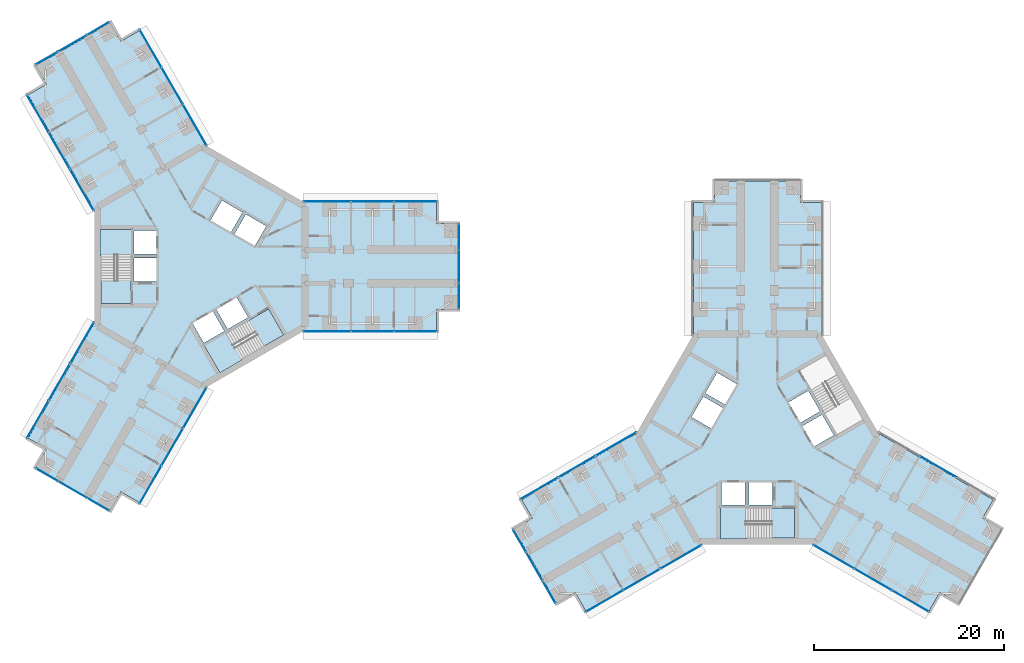
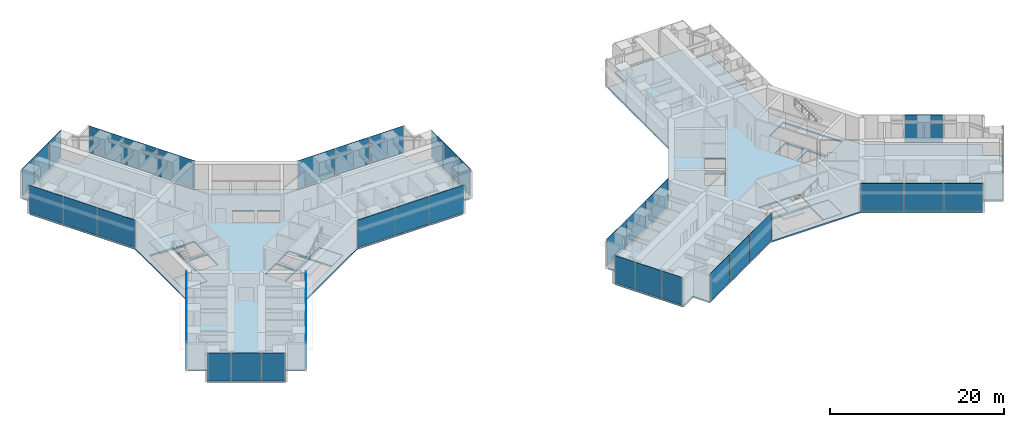
# One storey, part 14 of 22: 40 plates, 8 slabs, 17 elements without a shape of their own.
"""IFC4 building model written with IfcOpenShell, lengths in metres."""

from ifc_helpers import new_model, si_unit, direction, frame, origin, origin_2d, place, context, subcontext, project, spatial, polyline, rectangle, outline, extrude, material, layer, layer_set, type_object, element, aggregate, save


model = new_model("IFC4")

# Units and contexts
model_context = context("Model", 3, precision=1e-05, world=origin(), true_north=direction((0.0, 1.0)))
body_context = subcontext(model_context, "Body", "Model", "MODEL_VIEW")
ifc_project = project(units=[si_unit("LENGTHUNIT", "METRE"), si_unit("AREAUNIT", "SQUARE_METRE"), si_unit("VOLUMEUNIT", "CUBIC_METRE"), si_unit("PLANEANGLEUNIT", "RADIAN"), si_unit("MASSUNIT", "GRAM", prefix="KILO")], contexts=[model_context])

# Site, building, storey
site_placement = place(None, origin())
site = spatial("IfcSite", under=ifc_project, at=site_placement, CompositionType="ELEMENT")
building_placement = place(site_placement, origin())
building = spatial("IfcBuilding", under=site, at=building_placement, Name="Upepo Twin Towers", CompositionType="ELEMENT")
storey_placement = place(building_placement, frame((0.0, 0.0, 44.5)))
storey = spatial("IfcBuildingStorey", under=building, at=storey_placement, Name="L10", CompositionType="ELEMENT", Elevation=44.5)

# Curtain wall, plates
ifc_material_1 = material(Name="Aluminium and fritted glass", Category="aluminium")
curtain_wall_type = type_object("IfcCurtainWallType", Name="Tower curtain wall TW1, fritted glass", PredefinedType="NOTDEFINED", material=ifc_material_1)
curtain_wall_1_placement = place(storey_placement, origin())
curtain_wall_1 = element("IfcCurtainWall", 1, at=curtain_wall_1_placement, inside=storey, type_object=curtain_wall_type, Name="T1 L10 wing A flank L curtain wall", PredefinedType="NOTDEFINED")
ifc_material_2 = material(Name="Ceramic-fritted laminated glass", Category="glass")
ifc_layer_1 = layer(ifc_material_2, 0.031982421875)
ifc_layer_set_1 = layer_set([ifc_layer_1], Name="Fritted glass panel, 20 per cent dot frit, 32 mm double glazed")
plate_type_1 = type_object("IfcPlateType", Name="Fritted glass panel, 20 per cent dot frit, 32 mm double glazed", PredefinedType="CURTAIN_PANEL", material=ifc_layer_set_1)
plate_1_placement = place(storey_placement, frame((13.23486328125, 6.85009765625, 0.14990234375), z_axis=(0.0, 0.0, 1.0), x_axis=(1.0, 0.0, 0.0)))
plate_1 = element("IfcPlate", 2, at=plate_1_placement, type_object=plate_type_1, Name="T1 L10 wing A flank L curtain wall panel 1", PredefinedType="CURTAIN_PANEL", context=body_context, shape_type="SweptSolid", body=[
    extrude(rectangle(XDim=4.96533203125, YDim=0.031982421875, at=origin_2d()), origin(), (0.0, 0.0, 1.0), 3.85009765625),
])
plate_2_placement = place(storey_placement, frame((18.0, 6.85009765625, 0.14990234375), z_axis=(0.0, 0.0, 1.0), x_axis=(1.0, 0.0, 0.0)))
plate_2 = element("IfcPlate", 3, at=plate_2_placement, type_object=plate_type_1, Name="T1 L10 wing A flank L curtain wall panel 2", PredefinedType="CURTAIN_PANEL", context=body_context, shape_type="SweptSolid", body=[
    extrude(rectangle(XDim=4.43505859375, YDim=0.031982421875, at=origin_2d()), origin(), (0.0, 0.0, 1.0), 3.85009765625),
])
plate_3_placement = place(storey_placement, frame((22.53369140625, 6.85009765625, 0.14990234375), z_axis=(0.0, 0.0, 1.0), x_axis=(1.0, 0.0, 0.0)))
plate_3 = element("IfcPlate", 4, at=plate_3_placement, type_object=plate_type_1, Name="T1 L10 wing A flank L curtain wall panel 3", PredefinedType="CURTAIN_PANEL", context=body_context, shape_type="SweptSolid", body=[
    extrude(rectangle(XDim=4.50244140625, YDim=0.031982421875, at=origin_2d()), origin(), (0.0, 0.0, 1.0), 3.85009765625),
])
aggregate(curtain_wall_1, [plate_1, plate_2, plate_3])

curtain_wall_2_placement = place(storey_placement, origin())
curtain_wall_2 = element("IfcCurtainWall", 5, at=curtain_wall_2_placement, inside=storey, type_object=curtain_wall_type, Name="T1 L10 wing A flank R curtain wall", PredefinedType="NOTDEFINED")
plate_4_placement = place(storey_placement, frame((22.53369140625, -6.85009765625, 0.14990234375), z_axis=(0.0, 0.0, 1.0), x_axis=(-1.0, 0.0, 0.0)))
plate_4 = element("IfcPlate", 6, at=plate_4_placement, type_object=plate_type_1, Name="T1 L10 wing A flank R curtain wall panel 1", PredefinedType="CURTAIN_PANEL", context=body_context, shape_type="SweptSolid", body=[
    extrude(rectangle(XDim=4.50244140625, YDim=0.031982421875, at=origin_2d()), origin(), (0.0, 0.0, 1.0), 3.85009765625),
])
plate_5_placement = place(storey_placement, frame((18.0, -6.85009765625, 0.14990234375), z_axis=(0.0, 0.0, 1.0), x_axis=(-1.0, 0.0, 0.0)))
plate_5 = element("IfcPlate", 7, at=plate_5_placement, type_object=plate_type_1, Name="T1 L10 wing A flank R curtain wall panel 2", PredefinedType="CURTAIN_PANEL", context=body_context, shape_type="SweptSolid", body=[
    extrude(rectangle(XDim=4.43505859375, YDim=0.031982421875, at=origin_2d()), origin(), (0.0, 0.0, 1.0), 3.85009765625),
])
plate_6_placement = place(storey_placement, frame((13.23486328125, -6.85009765625, 0.14990234375), z_axis=(0.0, 0.0, 1.0), x_axis=(-1.0, 0.0, 0.0)))
plate_6 = element("IfcPlate", 8, at=plate_6_placement, type_object=plate_type_1, Name="T1 L10 wing A flank R curtain wall panel 3", PredefinedType="CURTAIN_PANEL", context=body_context, shape_type="SweptSolid", body=[
    extrude(rectangle(XDim=4.96533203125, YDim=0.031982421875, at=origin_2d()), origin(), (0.0, 0.0, 1.0), 3.85009765625),
])
aggregate(curtain_wall_2, [plate_4, plate_5, plate_6])

# Curtain wall, plate
curtain_wall_3_placement = place(storey_placement, origin())
curtain_wall_3 = element("IfcCurtainWall", 9, at=curtain_wall_3_placement, inside=storey, type_object=curtain_wall_type, Name="T1 L10 wing A nose curtain wall", PredefinedType="NOTDEFINED")
plate_7_placement = place(storey_placement, frame((27.10009765625, 0.0, 0.14990234375), z_axis=(0.0, 0.0, 1.0), x_axis=(0.0, 1.0, 0.0)))
plate_7 = element("IfcPlate", 10, at=plate_7_placement, type_object=plate_type_1, Name="T1 L10 wing A nose curtain wall panel 2", PredefinedType="CURTAIN_PANEL", context=body_context, shape_type="SweptSolid", body=[
    extrude(rectangle(XDim=3.43505859375, YDim=0.031982421875, at=origin_2d()), origin(), (0.0, 0.0, 1.0), 3.85009765625),
])

# Curtain wall, plates
curtain_wall_4_placement = place(storey_placement, origin())
curtain_wall_4 = element("IfcCurtainWall", 11, at=curtain_wall_4_placement, inside=storey, type_object=curtain_wall_type, Name="T1 L10 wing B flank L curtain wall", PredefinedType="NOTDEFINED")
plate_8_placement = place(storey_placement, frame((-12.549560546875, 8.03662109375, 0.14990234375), z_axis=(0.0, 0.0, 1.0), x_axis=(-0.500000024426, 0.866025389682, 0.0)))
plate_8 = element("IfcPlate", 12, at=plate_8_placement, type_object=plate_type_1, Name="T1 L10 wing B flank L curtain wall panel 1", PredefinedType="CURTAIN_PANEL", context=body_context, shape_type="SweptSolid", body=[
    extrude(rectangle(XDim=4.96533203125, YDim=0.031982421875, at=origin_2d()), origin(), (0.0, 0.0, 1.0), 3.85009765625),
])
plate_9_placement = place(storey_placement, frame((-14.932373046875, 12.16357421875, 0.14990234375), z_axis=(0.0, 0.0, 1.0), x_axis=(-0.500000024426, 0.866025389682, 0.0)))
plate_9 = element("IfcPlate", 13, at=plate_9_placement, type_object=plate_type_1, Name="T1 L10 wing B flank L curtain wall panel 2", PredefinedType="CURTAIN_PANEL", context=body_context, shape_type="SweptSolid", body=[
    extrude(rectangle(XDim=4.43505859375, YDim=0.031982421875, at=origin_2d()), origin(), (0.0, 0.0, 1.0), 3.85009765625),
])
plate_10_placement = place(storey_placement, frame((-17.19921875, 16.08984375, 0.14990234375), z_axis=(0.0, 0.0, 1.0), x_axis=(-0.500000024426, 0.866025389682, 0.0)))
plate_10 = element("IfcPlate", 14, at=plate_10_placement, type_object=plate_type_1, Name="T1 L10 wing B flank L curtain wall panel 3", PredefinedType="CURTAIN_PANEL", context=body_context, shape_type="SweptSolid", body=[
    extrude(rectangle(XDim=4.50244140625, YDim=0.031982421875, at=origin_2d()), origin(), (0.0, 0.0, 1.0), 3.85009765625),
])
aggregate(curtain_wall_4, [plate_8, plate_9, plate_10])

curtain_wall_5_placement = place(storey_placement, origin())
curtain_wall_5 = element("IfcCurtainWall", 15, at=curtain_wall_5_placement, inside=storey, type_object=curtain_wall_type, Name="T1 L10 wing B flank R curtain wall", PredefinedType="NOTDEFINED")
plate_11_placement = place(storey_placement, frame((-5.334716796875, 22.939697265625, 0.14990234375), z_axis=(0.0, 0.0, 1.0), x_axis=(0.500000024426, -0.866025389682, 0.0)))
plate_11 = element("IfcPlate", 16, at=plate_11_placement, type_object=plate_type_1, Name="T1 L10 wing B flank R curtain wall panel 1", PredefinedType="CURTAIN_PANEL", context=body_context, shape_type="SweptSolid", body=[
    extrude(rectangle(XDim=4.50244140625, YDim=0.031982421875, at=origin_2d()), origin(), (0.0, 0.0, 1.0), 3.85009765625),
])
plate_12_placement = place(storey_placement, frame((-3.067626953125, 19.013427734375, 0.14990234375), z_axis=(0.0, 0.0, 1.0), x_axis=(0.500000024426, -0.866025389682, 0.0)))
plate_12 = element("IfcPlate", 17, at=plate_12_placement, type_object=plate_type_1, Name="T1 L10 wing B flank R curtain wall panel 2", PredefinedType="CURTAIN_PANEL", context=body_context, shape_type="SweptSolid", body=[
    extrude(rectangle(XDim=4.43505859375, YDim=0.031982421875, at=origin_2d()), origin(), (0.0, 0.0, 1.0), 3.85009765625),
])
plate_13_placement = place(storey_placement, frame((-0.68505859375, 14.88671875, 0.14990234375), z_axis=(0.0, 0.0, 1.0), x_axis=(0.500000024426, -0.866025389682, 0.0)))
plate_13 = element("IfcPlate", 18, at=plate_13_placement, type_object=plate_type_1, Name="T1 L10 wing B flank R curtain wall panel 3", PredefinedType="CURTAIN_PANEL", context=body_context, shape_type="SweptSolid", body=[
    extrude(rectangle(XDim=4.96533203125, YDim=0.031982421875, at=origin_2d()), origin(), (0.0, 0.0, 1.0), 3.85009765625),
])
aggregate(curtain_wall_5, [plate_11, plate_12, plate_13])

# Curtain wall, plate
curtain_wall_6_placement = place(storey_placement, origin())
curtain_wall_6 = element("IfcCurtainWall", 19, at=curtain_wall_6_placement, inside=storey, type_object=curtain_wall_type, Name="T1 L10 wing B nose curtain wall", PredefinedType="NOTDEFINED")
plate_14_placement = place(storey_placement, frame((-13.550048828125, 23.46923828125, 0.14990234375), z_axis=(0.0, 0.0, 1.0), x_axis=(-0.866025386174, -0.500000030502, 0.0)))
plate_14 = element("IfcPlate", 20, at=plate_14_placement, type_object=plate_type_1, Name="T1 L10 wing B nose curtain wall panel 2", PredefinedType="CURTAIN_PANEL", context=body_context, shape_type="SweptSolid", body=[
    extrude(rectangle(XDim=3.43505859375, YDim=0.031982421875, at=origin_2d()), origin(), (0.0, 0.0, 1.0), 3.85009765625),
])

# Curtain wall, plates
curtain_wall_7_placement = place(storey_placement, origin())
curtain_wall_7 = element("IfcCurtainWall", 21, at=curtain_wall_7_placement, inside=storey, type_object=curtain_wall_type, Name="T1 L10 wing C flank L curtain wall", PredefinedType="NOTDEFINED")
plate_15_placement = place(storey_placement, frame((-0.68505859375, -14.88671875, 0.14990234375), z_axis=(0.0, 0.0, 1.0), x_axis=(-0.500000024426, -0.866025389682, 0.0)))
plate_15 = element("IfcPlate", 22, at=plate_15_placement, type_object=plate_type_1, Name="T1 L10 wing C flank L curtain wall panel 1", PredefinedType="CURTAIN_PANEL", context=body_context, shape_type="SweptSolid", body=[
    extrude(rectangle(XDim=4.96533203125, YDim=0.031982421875, at=origin_2d()), origin(), (0.0, 0.0, 1.0), 3.85009765625),
])
plate_16_placement = place(storey_placement, frame((-3.067626953125, -19.013427734375, 0.14990234375), z_axis=(0.0, 0.0, 1.0), x_axis=(-0.500000024426, -0.866025389682, 0.0)))
plate_16 = element("IfcPlate", 23, at=plate_16_placement, type_object=plate_type_1, Name="T1 L10 wing C flank L curtain wall panel 2", PredefinedType="CURTAIN_PANEL", context=body_context, shape_type="SweptSolid", body=[
    extrude(rectangle(XDim=4.43505859375, YDim=0.031982421875, at=origin_2d()), origin(), (0.0, 0.0, 1.0), 3.85009765625),
])
plate_17_placement = place(storey_placement, frame((-5.334716796875, -22.939697265625, 0.14990234375), z_axis=(0.0, 0.0, 1.0), x_axis=(-0.500000024426, -0.866025389682, 0.0)))
plate_17 = element("IfcPlate", 24, at=plate_17_placement, type_object=plate_type_1, Name="T1 L10 wing C flank L curtain wall panel 3", PredefinedType="CURTAIN_PANEL", context=body_context, shape_type="SweptSolid", body=[
    extrude(rectangle(XDim=4.50244140625, YDim=0.031982421875, at=origin_2d()), origin(), (0.0, 0.0, 1.0), 3.85009765625),
])
aggregate(curtain_wall_7, [plate_15, plate_16, plate_17])

curtain_wall_8_placement = place(storey_placement, origin())
curtain_wall_8 = element("IfcCurtainWall", 25, at=curtain_wall_8_placement, inside=storey, type_object=curtain_wall_type, Name="T1 L10 wing C flank R curtain wall", PredefinedType="NOTDEFINED")
plate_18_placement = place(storey_placement, frame((-17.19921875, -16.08984375, 0.14990234375), z_axis=(0.0, 0.0, 1.0), x_axis=(0.500000024426, 0.866025389682, 0.0)))
plate_18 = element("IfcPlate", 26, at=plate_18_placement, type_object=plate_type_1, Name="T1 L10 wing C flank R curtain wall panel 1", PredefinedType="CURTAIN_PANEL", context=body_context, shape_type="SweptSolid", body=[
    extrude(rectangle(XDim=4.50244140625, YDim=0.031982421875, at=origin_2d()), origin(), (0.0, 0.0, 1.0), 3.85009765625),
])
plate_19_placement = place(storey_placement, frame((-14.932373046875, -12.16357421875, 0.14990234375), z_axis=(0.0, 0.0, 1.0), x_axis=(0.500000024426, 0.866025389682, 0.0)))
plate_19 = element("IfcPlate", 27, at=plate_19_placement, type_object=plate_type_1, Name="T1 L10 wing C flank R curtain wall panel 2", PredefinedType="CURTAIN_PANEL", context=body_context, shape_type="SweptSolid", body=[
    extrude(rectangle(XDim=4.43505859375, YDim=0.031982421875, at=origin_2d()), origin(), (0.0, 0.0, 1.0), 3.85009765625),
])
plate_20_placement = place(storey_placement, frame((-12.549560546875, -8.03662109375, 0.14990234375), z_axis=(0.0, 0.0, 1.0), x_axis=(0.500000024426, 0.866025389682, 0.0)))
plate_20 = element("IfcPlate", 28, at=plate_20_placement, type_object=plate_type_1, Name="T1 L10 wing C flank R curtain wall panel 3", PredefinedType="CURTAIN_PANEL", context=body_context, shape_type="SweptSolid", body=[
    extrude(rectangle(XDim=4.96533203125, YDim=0.031982421875, at=origin_2d()), origin(), (0.0, 0.0, 1.0), 3.85009765625),
])
aggregate(curtain_wall_8, [plate_18, plate_19, plate_20])

# Curtain wall, plate
curtain_wall_9_placement = place(storey_placement, origin())
curtain_wall_9 = element("IfcCurtainWall", 29, at=curtain_wall_9_placement, inside=storey, type_object=curtain_wall_type, Name="T1 L10 wing C nose curtain wall", PredefinedType="NOTDEFINED")
plate_21_placement = place(storey_placement, frame((-13.550048828125, -23.46923828125, 0.14990234375), z_axis=(0.0, 0.0, 1.0), x_axis=(0.866025386174, -0.500000030502, 0.0)))
plate_21 = element("IfcPlate", 30, at=plate_21_placement, type_object=plate_type_1, Name="T1 L10 wing C nose curtain wall panel 2", PredefinedType="CURTAIN_PANEL", context=body_context, shape_type="SweptSolid", body=[
    extrude(rectangle(XDim=3.43505859375, YDim=0.031982421875, at=origin_2d()), origin(), (0.0, 0.0, 1.0), 3.85009765625),
])

# Curtain wall, plates
curtain_wall_10_placement = place(storey_placement, origin())
curtain_wall_10 = element("IfcCurtainWall", 31, at=curtain_wall_10_placement, inside=storey, type_object=curtain_wall_type, Name="T2 L10 wing B flank L curtain wall", PredefinedType="NOTDEFINED")
plate_22_placement = place(storey_placement, frame((50.46337890625, -30.549560546875, 0.14990234375), z_axis=(0.0, 0.0, 1.0), x_axis=(-0.866025389682, -0.500000024426, 0.0)))
plate_22 = element("IfcPlate", 32, at=plate_22_placement, type_object=plate_type_1, Name="T2 L10 wing B flank L curtain wall panel 1", PredefinedType="CURTAIN_PANEL", context=body_context, shape_type="SweptSolid", body=[
    extrude(rectangle(XDim=4.96533203125, YDim=0.031982421875, at=origin_2d()), origin(), (0.0, 0.0, 1.0), 3.85009765625),
])
plate_23_placement = place(storey_placement, frame((46.33642578125, -32.932373046875, 0.14990234375), z_axis=(0.0, 0.0, 1.0), x_axis=(-0.866025389682, -0.500000024426, 0.0)))
plate_23 = element("IfcPlate", 33, at=plate_23_placement, type_object=plate_type_1, Name="T2 L10 wing B flank L curtain wall panel 2", PredefinedType="CURTAIN_PANEL", context=body_context, shape_type="SweptSolid", body=[
    extrude(rectangle(XDim=4.43505859375, YDim=0.031982421875, at=origin_2d()), origin(), (0.0, 0.0, 1.0), 3.85009765625),
])
plate_24_placement = place(storey_placement, frame((42.41015625, -35.19921875, 0.14990234375), z_axis=(0.0, 0.0, 1.0), x_axis=(-0.866025389682, -0.500000024426, 0.0)))
plate_24 = element("IfcPlate", 34, at=plate_24_placement, type_object=plate_type_1, Name="T2 L10 wing B flank L curtain wall panel 3", PredefinedType="CURTAIN_PANEL", context=body_context, shape_type="SweptSolid", body=[
    extrude(rectangle(XDim=4.50244140625, YDim=0.031982421875, at=origin_2d()), origin(), (0.0, 0.0, 1.0), 3.85009765625),
])
aggregate(curtain_wall_10, [plate_22, plate_23, plate_24])

curtain_wall_11_placement = place(storey_placement, origin())
curtain_wall_11 = element("IfcCurtainWall", 35, at=curtain_wall_11_placement, inside=storey, type_object=curtain_wall_type, Name="T2 L10 wing B flank R curtain wall", PredefinedType="NOTDEFINED")
plate_25_placement = place(storey_placement, frame((35.560302734375, -23.334716796875, 0.14990234375), z_axis=(0.0, 0.0, 1.0), x_axis=(0.866025389682, 0.500000024426, 0.0)))
plate_25 = element("IfcPlate", 36, at=plate_25_placement, type_object=plate_type_1, Name="T2 L10 wing B flank R curtain wall panel 1", PredefinedType="CURTAIN_PANEL", context=body_context, shape_type="SweptSolid", body=[
    extrude(rectangle(XDim=4.50244140625, YDim=0.031982421875, at=origin_2d()), origin(), (0.0, 0.0, 1.0), 3.85009765625),
])
plate_26_placement = place(storey_placement, frame((39.486572265625, -21.067626953125, 0.14990234375), z_axis=(0.0, 0.0, 1.0), x_axis=(0.866025389682, 0.500000024426, 0.0)))
plate_26 = element("IfcPlate", 37, at=plate_26_placement, type_object=plate_type_1, Name="T2 L10 wing B flank R curtain wall panel 2", PredefinedType="CURTAIN_PANEL", context=body_context, shape_type="SweptSolid", body=[
    extrude(rectangle(XDim=4.43505859375, YDim=0.031982421875, at=origin_2d()), origin(), (0.0, 0.0, 1.0), 3.85009765625),
])
plate_27_placement = place(storey_placement, frame((43.61328125, -18.68505859375, 0.14990234375), z_axis=(0.0, 0.0, 1.0), x_axis=(0.866025389682, 0.500000024426, 0.0)))
plate_27 = element("IfcPlate", 38, at=plate_27_placement, type_object=plate_type_1, Name="T2 L10 wing B flank R curtain wall panel 3", PredefinedType="CURTAIN_PANEL", context=body_context, shape_type="SweptSolid", body=[
    extrude(rectangle(XDim=4.96533203125, YDim=0.031982421875, at=origin_2d()), origin(), (0.0, 0.0, 1.0), 3.85009765625),
])
aggregate(curtain_wall_11, [plate_25, plate_26, plate_27])

# Curtain wall, plate
curtain_wall_12_placement = place(storey_placement, origin())
curtain_wall_12 = element("IfcCurtainWall", 39, at=curtain_wall_12_placement, inside=storey, type_object=curtain_wall_type, Name="T2 L10 wing B nose curtain wall", PredefinedType="NOTDEFINED")
plate_28_placement = place(storey_placement, frame((35.03076171875, -31.550048828125, 0.14990234375), z_axis=(0.0, 0.0, 1.0), x_axis=(0.500000030502, -0.866025386174, 0.0)))
plate_28 = element("IfcPlate", 40, at=plate_28_placement, type_object=plate_type_1, Name="T2 L10 wing B nose curtain wall panel 2", PredefinedType="CURTAIN_PANEL", context=body_context, shape_type="SweptSolid", body=[
    extrude(rectangle(XDim=3.43505859375, YDim=0.031982421875, at=origin_2d()), origin(), (0.0, 0.0, 1.0), 3.85009765625),
])

curtain_wall_13_placement = place(storey_placement, origin())
curtain_wall_13 = element("IfcCurtainWall", 41, at=curtain_wall_13_placement, inside=storey, type_object=curtain_wall_type, Name="T2 L10 wing C flank L curtain wall", PredefinedType="NOTDEFINED")
plate_29_placement = place(storey_placement, frame((77.513427734375, -21.067626953125, 0.14990234375), z_axis=(0.0, 0.0, 1.0), x_axis=(0.866025389682, -0.500000024426, 0.0)))
plate_29 = element("IfcPlate", 42, at=plate_29_placement, type_object=plate_type_1, Name="T2 L10 wing C flank L curtain wall panel 2", PredefinedType="CURTAIN_PANEL", context=body_context, shape_type="SweptSolid", body=[
    extrude(rectangle(XDim=4.43505859375, YDim=0.031982421875, at=origin_2d()), origin(), (0.0, 0.0, 1.0), 3.85009765625),
])
aggregate(curtain_wall_13, [plate_29])

# Curtain wall, plates
curtain_wall_14_placement = place(storey_placement, origin())
curtain_wall_14 = element("IfcCurtainWall", 43, at=curtain_wall_14_placement, inside=storey, type_object=curtain_wall_type, Name="T2 L10 wing C flank R curtain wall", PredefinedType="NOTDEFINED")
plate_30_placement = place(storey_placement, frame((74.58984375, -35.19921875, 0.14990234375), z_axis=(0.0, 0.0, 1.0), x_axis=(-0.866025389682, 0.500000024426, 0.0)))
plate_30 = element("IfcPlate", 44, at=plate_30_placement, type_object=plate_type_1, Name="T2 L10 wing C flank R curtain wall panel 1", PredefinedType="CURTAIN_PANEL", context=body_context, shape_type="SweptSolid", body=[
    extrude(rectangle(XDim=4.50244140625, YDim=0.031982421875, at=origin_2d()), origin(), (0.0, 0.0, 1.0), 3.85009765625),
])
plate_31_placement = place(storey_placement, frame((70.66357421875, -32.932373046875, 0.14990234375), z_axis=(0.0, 0.0, 1.0), x_axis=(-0.866025389682, 0.500000024426, 0.0)))
plate_31 = element("IfcPlate", 45, at=plate_31_placement, type_object=plate_type_1, Name="T2 L10 wing C flank R curtain wall panel 2", PredefinedType="CURTAIN_PANEL", context=body_context, shape_type="SweptSolid", body=[
    extrude(rectangle(XDim=4.43505859375, YDim=0.031982421875, at=origin_2d()), origin(), (0.0, 0.0, 1.0), 3.85009765625),
])
plate_32_placement = place(storey_placement, frame((66.53662109375, -30.549560546875, 0.14990234375), z_axis=(0.0, 0.0, 1.0), x_axis=(-0.866025389682, 0.500000024426, 0.0)))
plate_32 = element("IfcPlate", 46, at=plate_32_placement, type_object=plate_type_1, Name="T2 L10 wing C flank R curtain wall panel 3", PredefinedType="CURTAIN_PANEL", context=body_context, shape_type="SweptSolid", body=[
    extrude(rectangle(XDim=4.96533203125, YDim=0.031982421875, at=origin_2d()), origin(), (0.0, 0.0, 1.0), 3.85009765625),
])
aggregate(curtain_wall_14, [plate_30, plate_31, plate_32])

# Plate
ifc_material_3 = material(Name="Clear laminated glass in opening sash", Category="glass")
ifc_layer_2 = layer(ifc_material_3, 0.031982421875)
ifc_layer_set_2 = layer_set([ifc_layer_2], Name="Operable glass panel, 32 mm double glazed")
plate_type_2 = type_object("IfcPlateType", Name="Operable glass panel, 32 mm double glazed", PredefinedType="CURTAIN_PANEL", material=ifc_layer_set_2)
plate_33_placement = place(storey_placement, frame((27.10009765625, -3.108642578125, 0.14990234375), z_axis=(0.0, 0.0, 1.0), x_axis=(0.0, 1.0, 0.0)))
plate_33 = element("IfcPlate", 47, at=plate_33_placement, type_object=plate_type_2, Name="T1 L10 wing A nose curtain wall panel 1", PredefinedType="CURTAIN_PANEL", context=body_context, shape_type="SweptSolid", body=[
    extrude(rectangle(XDim=2.652587890625, YDim=0.031982421875, at=origin_2d()), origin(), (0.0, 0.0, 1.0), 3.85009765625),
])

plate_34_placement = place(storey_placement, frame((27.10009765625, 3.108642578125, 0.14990234375), z_axis=(0.0, 0.0, 1.0), x_axis=(0.0, 1.0, 0.0)))
plate_34 = element("IfcPlate", 48, at=plate_34_placement, type_object=plate_type_2, Name="T1 L10 wing A nose curtain wall panel 3", PredefinedType="CURTAIN_PANEL", context=body_context, shape_type="SweptSolid", body=[
    extrude(rectangle(XDim=2.652587890625, YDim=0.031982421875, at=origin_2d()), origin(), (0.0, 0.0, 1.0), 3.85009765625),
])

aggregate(curtain_wall_3, [plate_33, plate_7, plate_34])

plate_35_placement = place(storey_placement, frame((-10.857666015625, 25.023681640625, 0.14990234375), z_axis=(0.0, 0.0, 1.0), x_axis=(-0.866025386174, -0.500000030502, 0.0)))
plate_35 = element("IfcPlate", 49, at=plate_35_placement, type_object=plate_type_2, Name="T1 L10 wing B nose curtain wall panel 1", PredefinedType="CURTAIN_PANEL", context=body_context, shape_type="SweptSolid", body=[
    extrude(rectangle(XDim=2.652587890625, YDim=0.031982421875, at=origin_2d()), origin(), (0.0, 0.0, 1.0), 3.85009765625),
])

plate_36_placement = place(storey_placement, frame((-16.2421875, 21.914794921875, 0.14990234375), z_axis=(0.0, 0.0, 1.0), x_axis=(-0.866025386174, -0.500000030502, 0.0)))
plate_36 = element("IfcPlate", 50, at=plate_36_placement, type_object=plate_type_2, Name="T1 L10 wing B nose curtain wall panel 3", PredefinedType="CURTAIN_PANEL", context=body_context, shape_type="SweptSolid", body=[
    extrude(rectangle(XDim=2.652587890625, YDim=0.031982421875, at=origin_2d()), origin(), (0.0, 0.0, 1.0), 3.85009765625),
])

aggregate(curtain_wall_6, [plate_35, plate_14, plate_36])

plate_37_placement = place(storey_placement, frame((-16.2421875, -21.914794921875, 0.14990234375), z_axis=(0.0, 0.0, 1.0), x_axis=(0.866025386174, -0.500000030502, 0.0)))
plate_37 = element("IfcPlate", 51, at=plate_37_placement, type_object=plate_type_2, Name="T1 L10 wing C nose curtain wall panel 1", PredefinedType="CURTAIN_PANEL", context=body_context, shape_type="SweptSolid", body=[
    extrude(rectangle(XDim=2.652587890625, YDim=0.031982421875, at=origin_2d()), origin(), (0.0, 0.0, 1.0), 3.85009765625),
])

plate_38_placement = place(storey_placement, frame((-10.857666015625, -25.023681640625, 0.14990234375), z_axis=(0.0, 0.0, 1.0), x_axis=(0.866025386174, -0.500000030502, 0.0)))
plate_38 = element("IfcPlate", 52, at=plate_38_placement, type_object=plate_type_2, Name="T1 L10 wing C nose curtain wall panel 3", PredefinedType="CURTAIN_PANEL", context=body_context, shape_type="SweptSolid", body=[
    extrude(rectangle(XDim=2.652587890625, YDim=0.031982421875, at=origin_2d()), origin(), (0.0, 0.0, 1.0), 3.85009765625),
])

aggregate(curtain_wall_9, [plate_37, plate_21, plate_38])

plate_39_placement = place(storey_placement, frame((33.476318359375, -28.857666015625, 0.14990234375), z_axis=(0.0, 0.0, 1.0), x_axis=(0.500000030502, -0.866025386174, 0.0)))
plate_39 = element("IfcPlate", 53, at=plate_39_placement, type_object=plate_type_2, Name="T2 L10 wing B nose curtain wall panel 1", PredefinedType="CURTAIN_PANEL", context=body_context, shape_type="SweptSolid", body=[
    extrude(rectangle(XDim=2.652587890625, YDim=0.031982421875, at=origin_2d()), origin(), (0.0, 0.0, 1.0), 3.85009765625),
])

plate_40_placement = place(storey_placement, frame((36.585205078125, -34.2421875, 0.14990234375), z_axis=(0.0, 0.0, 1.0), x_axis=(0.500000030502, -0.866025386174, 0.0)))
plate_40 = element("IfcPlate", 54, at=plate_40_placement, type_object=plate_type_2, Name="T2 L10 wing B nose curtain wall panel 3", PredefinedType="CURTAIN_PANEL", context=body_context, shape_type="SweptSolid", body=[
    extrude(rectangle(XDim=2.652587890625, YDim=0.031982421875, at=origin_2d()), origin(), (0.0, 0.0, 1.0), 3.85009765625),
])

aggregate(curtain_wall_12, [plate_39, plate_28, plate_40])

# Stair, slabs
ifc_material_4 = material(Name="Concrete C40/50", Category="concrete")
stair_type = type_object("IfcStairType", Name="Core stair, two flights", PredefinedType="HALF_TURN_STAIR", material=ifc_material_4)
stair_1_placement = place(storey_placement, origin())
stair_1 = element("IfcStair", 55, at=stair_1_placement, inside=storey, type_object=stair_type, Name="T1 stair S1 L10", PredefinedType="HALF_TURN_STAIR")
ifc_material_5 = material(Name="Concrete C40/50", Category="concrete")
ifc_layer_3 = layer(ifc_material_5, 0.199951171875)
ifc_layer_set_3 = layer_set([ifc_layer_3], Name="Concrete C40/50")
slab_type_1 = type_object("IfcSlabType", Name="Stair landing 200 RC", PredefinedType="LANDING", material=ifc_layer_set_3)
slab_1_placement = place(storey_placement, frame((0.0, 0.0, -0.199951171875)))
slab_1 = element("IfcSlab", 56, at=slab_1_placement, type_object=slab_type_1, Name="Stair S1 landing 1", PredefinedType="LANDING", context=body_context, shape_type="SweptSolid", body=[
    extrude(outline(polyline([(-7.39990234375, -1.419921875), (-10.558349609375, -1.419921875), (-10.558349609375, -3.89990234375), (-7.39990234375, -3.89990234375), (-7.39990234375, -1.419921875)])), origin(), (0.0, 0.0, 1.0), 0.199951171875),
])
slab_2_placement = place(storey_placement, frame((0.0, 0.0, 1.800048828125)))
slab_2 = element("IfcSlab", 57, at=slab_2_placement, type_object=slab_type_1, Name="Stair S1 landing 2", PredefinedType="LANDING", context=body_context, shape_type="SweptSolid", body=[
    extrude(outline(polyline([(-7.300048828125, 3.89990234375), (-10.658447265625, 3.89990234375), (-10.658447265625, 1.179931640625), (-7.300048828125, 1.179931640625), (-7.300048828125, 3.89990234375)])), origin(), (0.0, 0.0, 1.0), 0.199951171875),
])
aggregate(stair_1, [slab_1, slab_2])

stair_2_placement = place(storey_placement, origin())
stair_2 = element("IfcStair", 58, at=stair_2_placement, inside=storey, type_object=stair_type, Name="T1 stair S2 L10", PredefinedType="HALF_TURN_STAIR")
slab_3_placement = place(storey_placement, frame((0.0, 0.0, -0.199951171875)))
slab_3 = element("IfcSlab", 59, at=slab_3_placement, type_object=slab_type_1, Name="Stair S2 landing 1", PredefinedType="LANDING", context=body_context, shape_type="SweptSolid", body=[
    extrude(outline(polyline([(4.9296875, -5.698486328125), (6.509033203125, -8.433837890625), (8.65673828125, -7.19384765625), (7.077392578125, -4.45849609375), (4.9296875, -5.698486328125)])), origin(), (0.0, 0.0, 1.0), 0.199951171875),
])
slab_4_placement = place(storey_placement, frame((0.0, 0.0, 1.800048828125)))
slab_4 = element("IfcSlab", 60, at=slab_4_placement, type_object=slab_type_1, Name="Stair S2 landing 2", PredefinedType="LANDING", context=body_context, shape_type="SweptSolid", body=[
    extrude(outline(polyline([(0.2724609375, -8.27197265625), (1.95166015625, -11.180419921875), (4.307373046875, -9.8203125), (2.628173828125, -6.911865234375), (0.2724609375, -8.27197265625)])), origin(), (0.0, 0.0, 1.0), 0.199951171875),
])
aggregate(stair_2, [slab_3, slab_4])

stair_3_placement = place(storey_placement, origin())
stair_3 = element("IfcStair", 61, at=stair_3_placement, inside=storey, type_object=stair_type, Name="T2 stair S1 L10", PredefinedType="HALF_TURN_STAIR")
slab_5_placement = place(storey_placement, frame((0.0, 0.0, -0.199951171875)))
slab_5 = element("IfcSlab", 62, at=slab_5_placement, type_object=slab_type_1, Name="Stair S1 landing 1", PredefinedType="LANDING", context=body_context, shape_type="SweptSolid", body=[
    extrude(outline(polyline([(59.919921875, -25.39990234375), (59.919921875, -28.558349609375), (62.39990234375, -28.558349609375), (62.39990234375, -25.39990234375), (59.919921875, -25.39990234375)])), origin(), (0.0, 0.0, 1.0), 0.199951171875),
])
slab_6_placement = place(storey_placement, frame((0.0, 0.0, 1.800048828125)))
slab_6 = element("IfcSlab", 63, at=slab_6_placement, type_object=slab_type_1, Name="Stair S1 landing 2", PredefinedType="LANDING", context=body_context, shape_type="SweptSolid", body=[
    extrude(outline(polyline([(54.60009765625, -25.300048828125), (54.60009765625, -28.658447265625), (57.320068359375, -28.658447265625), (57.320068359375, -25.300048828125), (54.60009765625, -25.300048828125)])), origin(), (0.0, 0.0, 1.0), 0.199951171875),
])
aggregate(stair_3, [slab_5, slab_6])

# Slabs
ifc_material_6 = material(Name="Concrete C40/50", Category="concrete")
ifc_layer_4 = layer(ifc_material_6, 0.199951171875)
ifc_layer_set_4 = layer_set([ifc_layer_4], Name="Concrete C40/50")
slab_type_2 = type_object("IfcSlabType", Name="Tower floor slab 200 RC", PredefinedType="FLOOR", material=ifc_layer_set_4)
slab_7_placement = place(storey_placement, frame((0.0, 0.0, -0.199951171875)))
element("IfcSlab", 64, at=slab_7_placement, inside=storey, type_object=slab_type_2, Name="T1 L10 floor slab", PredefinedType="FLOOR", context=body_context, shape_type="SweptSolid", body=[
    extrude(outline(polyline([(-8.477783203125, -23.68408203125), (-9.602783203125, -25.632568359375), (-17.397216796875, -21.132568359375), (-16.272216796875, -19.18408203125), (-18.220703125, -18.05908203125), (-11.25830078125, -6.0), (-11.25830078125, 6.0), (-18.220703125, 18.05908203125), (-16.272216796875, 19.18408203125), (-17.397216796875, 21.132568359375), (-9.602783203125, 25.632568359375), (-8.477783203125, 23.68408203125), (-6.529296875, 24.80908203125), (0.43310546875, 12.75), (10.825439453125, 6.75), (24.75, 6.75), (24.75, 4.5), (27.0, 4.5), (27.0, -4.5), (24.75, -4.5), (24.75, -6.75), (10.825439453125, -6.75), (0.43310546875, -12.75), (-6.529296875, -24.80908203125), (-8.477783203125, -23.68408203125)]), holes=[polyline([(5.640869140625, 2.17041015625), (6.8408203125, 4.248779296875), (4.67578125, 5.498779296875), (3.475830078125, 3.42041015625), (5.640869140625, 2.17041015625)]), polyline([(3.12939453125, 3.620361328125), (4.329345703125, 5.69873046875), (2.164306640625, 6.94873046875), (0.96435546875, 4.870361328125), (3.12939453125, 3.620361328125)]), polyline([(-4.699951171875, 3.800048828125), (-7.10009765625, 3.800048828125), (-7.10009765625, 1.300048828125), (-4.699951171875, 1.300048828125), (-4.699951171875, 3.800048828125)]), polyline([(-4.699951171875, 0.89990234375), (-7.10009765625, 0.89990234375), (-7.10009765625, -1.60009765625), (-4.699951171875, -1.60009765625), (-4.699951171875, 0.89990234375)]), polyline([(-7.39990234375, 3.89990234375), (-10.558349609375, 3.89990234375), (-10.558349609375, -3.89990234375), (-7.39990234375, -3.89990234375), (-7.39990234375, 3.89990234375)]), polyline([(-0.94091796875, -5.97021484375), (0.259033203125, -8.048828125), (2.424072265625, -6.798828125), (1.22412109375, -4.72021484375), (-0.94091796875, -5.97021484375)]), polyline([(1.570556640625, -4.520263671875), (2.7705078125, -6.598876953125), (4.935546875, -5.348876953125), (3.735595703125, -3.270263671875), (1.570556640625, -4.520263671875)]), polyline([(0.322509765625, -8.358642578125), (1.901611328125, -11.09375), (8.65673828125, -7.19384765625), (7.077392578125, -4.45849609375), (0.322509765625, -8.358642578125)])]), origin(), (0.0, 0.0, 1.0), 0.199951171875),
])
slab_8_placement = place(storey_placement, frame((0.0, 0.0, -0.199951171875)))
element("IfcSlab", 65, at=slab_8_placement, inside=storey, type_object=slab_type_2, Name="T2 L10 floor slab", PredefinedType="FLOOR", context=body_context, shape_type="SweptSolid", body=[
    extrude(outline(polyline([(82.18408203125, -26.477783203125), (84.132568359375, -27.602783203125), (79.632568359375, -35.397216796875), (77.68408203125, -34.272216796875), (76.55908203125, -36.220703125), (64.5, -29.25830078125), (52.5, -29.25830078125), (40.44091796875, -36.220703125), (39.31591796875, -34.272216796875), (37.367431640625, -35.397216796875), (32.867431640625, -27.602783203125), (34.81591796875, -26.477783203125), (33.69091796875, -24.529296875), (45.75, -17.56689453125), (51.75, -7.174560546875), (51.75, 6.75), (54.0, 6.75), (54.0, 9.0), (63.0, 9.0), (63.0, 6.75), (65.25, 6.75), (65.25, -7.174560546875), (71.25, -17.56689453125), (83.30908203125, -24.529296875), (82.18408203125, -26.477783203125)]), holes=[polyline([(56.32958984375, -12.359130859375), (54.251220703125, -11.1591796875), (53.001220703125, -13.32421875), (55.07958984375, -14.524169921875), (56.32958984375, -12.359130859375)]), polyline([(54.879638671875, -14.87060546875), (52.80126953125, -13.670654296875), (51.55126953125, -15.835693359375), (53.629638671875, -17.03564453125), (54.879638671875, -14.87060546875)]), polyline([(54.699951171875, -22.699951171875), (54.699951171875, -25.10009765625), (57.199951171875, -25.10009765625), (57.199951171875, -22.699951171875), (54.699951171875, -22.699951171875)]), polyline([(57.60009765625, -22.699951171875), (57.60009765625, -25.10009765625), (60.10009765625, -25.10009765625), (60.10009765625, -22.699951171875), (57.60009765625, -22.699951171875)]), polyline([(54.60009765625, -25.39990234375), (54.60009765625, -28.558349609375), (62.39990234375, -28.558349609375), (62.39990234375, -25.39990234375), (54.60009765625, -25.39990234375)]), polyline([(64.47021484375, -18.94091796875), (66.548828125, -17.740966796875), (65.298828125, -15.575927734375), (63.22021484375, -16.77587890625), (64.47021484375, -18.94091796875)]), polyline([(63.020263671875, -16.429443359375), (65.098876953125, -15.2294921875), (63.848876953125, -13.064453125), (61.770263671875, -14.264404296875), (63.020263671875, -16.429443359375)]), polyline([(66.858642578125, -17.677490234375), (69.59375, -16.098388671875), (65.69384765625, -9.34326171875), (62.95849609375, -10.922607421875), (66.858642578125, -17.677490234375)])]), origin(), (0.0, 0.0, 1.0), 0.199951171875),
])

save(model, "model.ifc")
